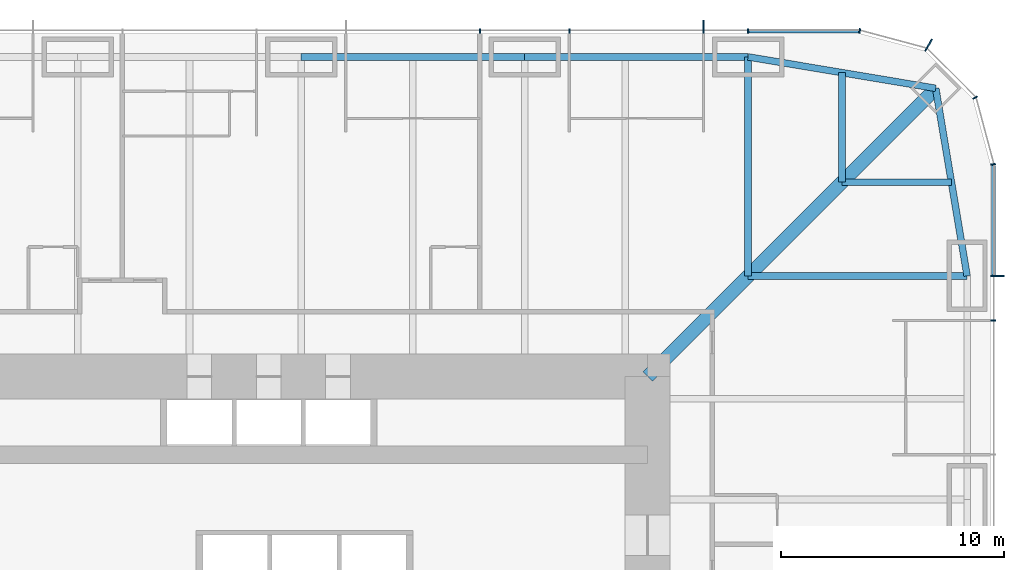
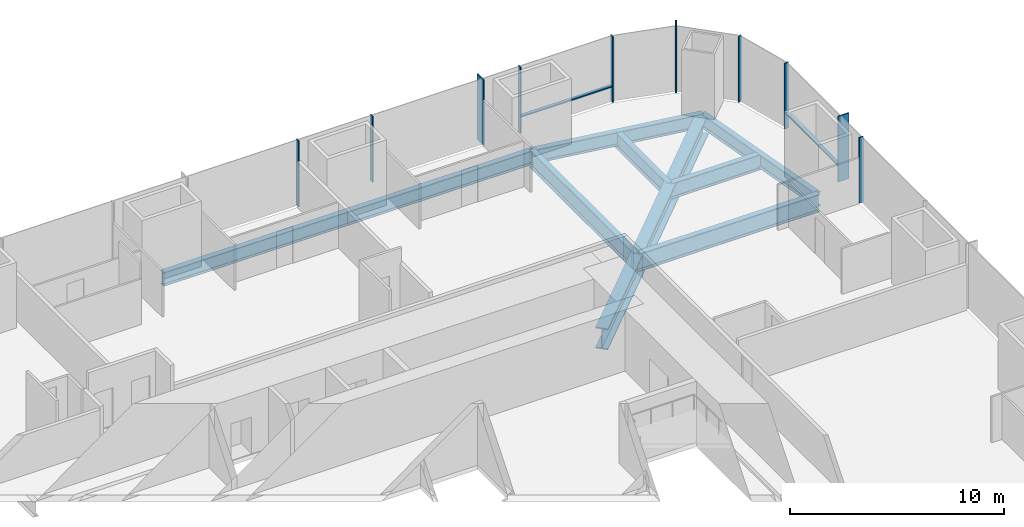
# One storey, part 9 of 17: 12 members, 9 beams, 3 elements without a shape of their own.
"""IFC4 building model written with IfcOpenShell, lengths in metres."""

from ifc_helpers import new_model, si_unit, direction, frame, origin, origin_2d, place, context, subcontext, project, spatial, rectangle, i_section, extrude, material, material_profile, profile_set, type_object, element, aggregate, save


model = new_model("IFC4")

# Units and contexts
model_context = context("Model", 3, precision=1e-05, world=origin(), true_north=direction((0.0, 1.0)))
body_context = subcontext(model_context, "Body", "Model", "MODEL_VIEW")
ifc_project = project(units=[si_unit("LENGTHUNIT", "METRE"), si_unit("AREAUNIT", "SQUARE_METRE"), si_unit("VOLUMEUNIT", "CUBIC_METRE"), si_unit("PLANEANGLEUNIT", "RADIAN"), si_unit("MASSUNIT", "GRAM", prefix="KILO")], contexts=[model_context])

# Site, building, storey
site_placement = place(None, origin())
site = spatial("IfcSite", under=ifc_project, at=site_placement, CompositionType="ELEMENT")
building_placement = place(site_placement, origin())
building = spatial("IfcBuilding", under=site, at=building_placement, Name="Khuree Lantern Residences", CompositionType="ELEMENT")
storey_placement = place(building_placement, frame((0.0, 0.0, 92.25)))
storey = spatial("IfcBuildingStorey", under=building, at=storey_placement, Name="L23", CompositionType="ELEMENT", Elevation=92.25)

# Beams
ifc_material_1 = material(Name="Steel S355", Category="steel")
ifc_material_profile_1 = material_profile(ifc_material_1, i_section(OverallWidth=0.300048828125, OverallDepth=0.889892578125, WebThickness=0.01611328125, FlangeThickness=0.030029296875, FilletRadius=0.030029296875, at=origin_2d()), Name="HE 900 A")
ifc_profile_set_1 = profile_set([ifc_material_profile_1], Name="Steel S355")
beam_type_1 = type_object("IfcBeamType", Name="B-15 SECONDARY BEAM HE 900 A", PredefinedType="BEAM", material=ifc_profile_set_1)
for number, where, z_axis, x_axis, name in (
    (1, (24.197021484375, 29.09716796875, -0.695068359375), (0.0, -1.0, 0.0), (1.0, 0.0, 0.0), "Secondary beam N5"),
    (2, (29.09716796875, 24.197021484375, -0.695068359375), (-1.0, 0.0, 0.0), (0.0, -1.0, 0.0), "Secondary beam E1"),
):
    element("IfcBeam", number, at=place(storey_placement, frame(where, z_axis=z_axis, x_axis=x_axis)), inside=storey, type_object=beam_type_1, Name=name, PredefinedType="BEAM", context=body_context, shape_type="SweptSolid", body=[
        extrude(i_section(OverallWidth=0.300048828125, OverallDepth=0.889892578125, WebThickness=0.01611328125, FlangeThickness=0.030029296875, FilletRadius=0.030029296875, at=origin_2d()), origin(), (0.0, 0.0, 1.0), 4.900146484375),
    ])
ifc_material_profile_2 = material_profile(ifc_material_1, i_section(OverallWidth=0.300048828125, OverallDepth=0.7900390625, WebThickness=0.014892578125, FlangeThickness=0.028076171875, FilletRadius=0.030029296875, at=origin_2d()), Name="HE 800 A")
ifc_profile_set_2 = profile_set([ifc_material_profile_2], Name="Steel S355")
beam_type_2 = type_object("IfcBeamType", Name="E-15 SPANDREL BEAM HE 800 A", PredefinedType="SPANDREL", material=ifc_profile_set_2)
for number, where, z_axis, x_axis, name in (
    (3, (0.0, 29.800048828125, -0.64501953125), (1.0, 0.0, 0.0), (0.0, 1.0, 0.0), "Spandrel beam N3"),
    (4, (10.0, 29.800048828125, -0.64501953125), (1.0, 0.0, 0.0), (0.0, 1.0, 0.0), "Spandrel beam N4"),
):
    element("IfcBeam", number, at=place(storey_placement, frame(where, z_axis=z_axis, x_axis=x_axis)), inside=storey, type_object=beam_type_2, Name=name, PredefinedType="SPANDREL", context=body_context, shape_type="SweptSolid", body=[
        extrude(i_section(OverallWidth=0.300048828125, OverallDepth=0.7900390625, WebThickness=0.014892578125, FlangeThickness=0.028076171875, FilletRadius=0.030029296875, at=origin_2d()), origin(), (0.0, 0.0, 1.0), 10.0),
    ])
for number, where, z_axis, x_axis, name in (
    (5, (20.0, 29.800048828125, -0.64501953125), (0.986260251158, -0.165199022349, 0.0), (0.165199022349, 0.986260251158, 0.0), "Spandrel beam N5"),
    (6, (28.39404296875, 28.39404296875, -0.64501953125), (0.165199022349, -0.986260251158, 0.0), (0.986260251158, 0.165199022349, 0.0), "Spandrel beam E1"),
):
    element("IfcBeam", number, at=place(storey_placement, frame(where, z_axis=z_axis, x_axis=x_axis)), inside=storey, type_object=beam_type_2, Name=name, PredefinedType="SPANDREL", context=body_context, shape_type="SweptSolid", body=[
        extrude(i_section(OverallWidth=0.300048828125, OverallDepth=0.7900390625, WebThickness=0.014892578125, FlangeThickness=0.028076171875, FilletRadius=0.030029296875, at=origin_2d()), origin(), (0.0, 0.0, 1.0), 8.510986328125),
    ])

# Curtain wall, member
ifc_material_2 = material(Name="Bronze anodised aluminium", Category="aluminium")
curtain_wall_type_1 = type_object("IfcCurtainWallType", Name="CW-T1 TOWER FACE CURTAIN WALL", PredefinedType="USERDEFINED", material=ifc_material_2)
curtain_wall_1_placement = place(storey_placement, origin())
curtain_wall_1 = element("IfcCurtainWall", 7, at=curtain_wall_1_placement, inside=storey, type_object=curtain_wall_type_1, Name="L23 EAST FACE CURTAIN WALL", ObjectType="Stick-built curtain wall", PredefinedType="USERDEFINED")
ifc_material_profile_3 = material_profile(ifc_material_2, rectangle(XDim=0.06494140625, YDim=0.60009765625, at=origin_2d()), Name="F1 65X600")
ifc_profile_set_3 = profile_set([ifc_material_profile_3], Name="Bronze anodised aluminium")
member_type_1 = type_object("IfcMemberType", Name="F1 BRONZE FIN MULLION TOWER 65X600", PredefinedType="MULLION", material=ifc_profile_set_3)
member_1_placement = place(storey_placement, frame((31.14990234375, 20.0, 0.0), z_axis=(0.0, 0.0, 1.0), x_axis=(0.0, 1.0, 0.0)))
member_1 = element("IfcMember", 8, at=member_1_placement, type_object=member_type_1, Name="L23 EAST FACE FIN MULLION 14", PredefinedType="MULLION", context=body_context, shape_type="SweptSolid", body=[
    extrude(rectangle(XDim=0.06494140625, YDim=0.60009765625, at=origin_2d()), origin(), (0.0, 0.0, 1.0), 3.75),
])

curtain_wall_type_2 = type_object("IfcCurtainWallType", Name="CW-T2 TOWER CORNER CURTAIN WALL", PredefinedType="USERDEFINED", material=ifc_material_2)
curtain_wall_2_placement = place(storey_placement, origin())
curtain_wall_2 = element("IfcCurtainWall", 9, at=curtain_wall_2_placement, inside=storey, type_object=curtain_wall_type_2, Name="L23 NORTH-EAST CORNER CURTAIN WALL", ObjectType="Faceted corner curtain wall", PredefinedType="USERDEFINED")
member_2_placement = place(storey_placement, frame((28.074951171875, 30.326171875, 0.0), z_axis=(0.0, 0.0, 1.0), x_axis=(-0.86602537092, 0.500000056923, 0.0)))
member_2 = element("IfcMember", 10, at=member_2_placement, type_object=member_type_1, Name="L23 NORTH-EAST CORNER FIN MULLION 17", PredefinedType="MULLION", context=body_context, shape_type="SweptSolid", body=[
    extrude(rectangle(XDim=0.06494140625, YDim=0.60009765625, at=origin_2d()), origin(), (0.0, 0.0, 1.0), 3.75),
])

curtain_wall_3_placement = place(storey_placement, origin())
curtain_wall_3 = element("IfcCurtainWall", 11, at=curtain_wall_3_placement, inside=storey, type_object=curtain_wall_type_1, Name="L23 NORTH FACE CURTAIN WALL", ObjectType="Stick-built curtain wall", PredefinedType="USERDEFINED")
member_3_placement = place(storey_placement, frame((18.0, 31.14990234375, 0.0), z_axis=(0.0, 0.0, 1.0), x_axis=(-1.0, 0.0, 0.0)))
member_3 = element("IfcMember", 12, at=member_3_placement, type_object=member_type_1, Name="L23 NORTH FACE FIN MULLION 20", PredefinedType="MULLION", context=body_context, shape_type="SweptSolid", body=[
    extrude(rectangle(XDim=0.06494140625, YDim=0.60009765625, at=origin_2d()), origin(), (0.0, 0.0, 1.0), 3.75),
])

# Beams
ifc_material_profile_4 = material_profile(ifc_material_1, i_section(OverallWidth=0.302001953125, OverallDepth=1.008056640625, WebThickness=0.02099609375, FlangeThickness=0.0400390625, FilletRadius=0.030029296875, at=origin_2d()), Name="HE 1000 M")
ifc_profile_set_4 = profile_set([ifc_material_profile_4], Name="Steel S355")
beam_type_3 = type_object("IfcBeamType", Name="G-15 GIRDER HE 1000 M", PredefinedType="BEAM", material=ifc_profile_set_4)
for number, where, z_axis, x_axis, name in (
    (13, (20.0, 29.800048828125, -0.75390625), (0.0, -1.0, 0.0), (1.0, 0.0, 0.0), "Girder N5"),
    (14, (29.800048828125, 20.0, -0.75390625), (-1.0, 0.0, 0.0), (0.0, -1.0, 0.0), "Girder E1"),
):
    element("IfcBeam", number, at=place(storey_placement, frame(where, z_axis=z_axis, x_axis=x_axis)), inside=storey, type_object=beam_type_3, Name=name, PredefinedType="BEAM", context=body_context, shape_type="SweptSolid", body=[
        extrude(i_section(OverallWidth=0.302001953125, OverallDepth=1.008056640625, WebThickness=0.02099609375, FlangeThickness=0.0400390625, FilletRadius=0.030029296875, at=origin_2d()), origin(), (0.0, 0.0, 1.0), 9.800048828125),
    ])
ifc_material_profile_5 = material_profile(ifc_material_1, i_section(OverallWidth=0.60009765625, OverallDepth=1.199951171875, WebThickness=0.030029296875, FlangeThickness=0.06005859375, at=origin_2d()), Name="WELDED I 1200X600X30X60")
ifc_profile_set_5 = profile_set([ifc_material_profile_5], Name="Steel S355")
beam_type_4 = type_object("IfcBeamType", Name="GD-15 CORNER GIRDER WELDED I 1200X600X30X60", PredefinedType="BEAM", material=ifc_profile_set_5)
beam_placement = place(storey_placement, frame((28.39404296875, 28.39404296875, -0.85009765625), z_axis=(-0.707106781187, -0.707106781187, 0.0), x_axis=(0.707106781187, -0.707106781187, 0.0)))
element("IfcBeam", 15, at=beam_placement, inside=storey, type_object=beam_type_4, Name="Corner girder NE", PredefinedType="BEAM", context=body_context, shape_type="SweptSolid", body=[
    extrude(i_section(OverallWidth=0.60009765625, OverallDepth=1.199951171875, WebThickness=0.030029296875, FlangeThickness=0.06005859375, at=origin_2d()), origin(), (0.0, 0.0, 1.0), 18.23486328125),
])

# Member
ifc_material_profile_6 = material_profile(ifc_material_2, rectangle(XDim=0.06494140625, YDim=0.219970703125, at=origin_2d()), Name="M1 65X220")
ifc_profile_set_6 = profile_set([ifc_material_profile_6], Name="Bronze anodised aluminium")
member_type_2 = type_object("IfcMemberType", Name="M1 BRONZE MULLION TOWER 65X220", PredefinedType="MULLION", material=ifc_profile_set_6)
member_4_placement = place(storey_placement, frame((30.9599609375, 18.0, 0.0), z_axis=(0.0, 0.0, 1.0), x_axis=(0.0, 1.0, 0.0)))
member_4 = element("IfcMember", 16, at=member_4_placement, type_object=member_type_2, Name="L23 EAST FACE MULLION 13", PredefinedType="MULLION", context=body_context, shape_type="SweptSolid", body=[
    extrude(rectangle(XDim=0.06494140625, YDim=0.219970703125, at=origin_2d()), origin(), (0.0, 0.0, 1.0), 3.75),
])

member_5_placement = place(storey_placement, frame((30.961669921875, 24.994873046875, 0.0), z_axis=(0.0, 0.0, 1.0), x_axis=(-0.130526257387, 0.991444852794, 0.0)))
member_5 = element("IfcMember", 17, at=member_5_placement, type_object=member_type_2, Name="L23 NORTH-EAST CORNER MULLION 15", PredefinedType="MULLION", context=body_context, shape_type="SweptSolid", body=[
    extrude(rectangle(XDim=0.06494140625, YDim=0.219970703125, at=origin_2d()), origin(), (0.0, 0.0, 1.0), 3.75),
])

member_6_placement = place(storey_placement, frame((30.16162109375, 27.97998046875, 0.0), z_axis=(0.0, 0.0, 1.0), x_axis=(-0.500000056923, 0.86602537092, 0.0)))
member_6 = element("IfcMember", 18, at=member_6_placement, type_object=member_type_2, Name="L23 NORTH-EAST CORNER MULLION 16", PredefinedType="MULLION", context=body_context, shape_type="SweptSolid", body=[
    extrude(rectangle(XDim=0.06494140625, YDim=0.219970703125, at=origin_2d()), origin(), (0.0, 0.0, 1.0), 3.75),
])

aggregate(curtain_wall_2, [member_5, member_6, member_2])

member_7_placement = place(storey_placement, frame((24.994873046875, 30.961669921875, 0.0), z_axis=(0.0, 0.0, 1.0), x_axis=(-0.991444852794, 0.130526257387, 0.0)))
member_7 = element("IfcMember", 19, at=member_7_placement, type_object=member_type_2, Name="L23 NORTH FACE MULLION 18", PredefinedType="MULLION", context=body_context, shape_type="SweptSolid", body=[
    extrude(rectangle(XDim=0.06494140625, YDim=0.219970703125, at=origin_2d()), origin(), (0.0, 0.0, 1.0), 3.75),
])

member_8_placement = place(storey_placement, frame((20.0, 30.9599609375, 0.0), z_axis=(0.0, 0.0, 1.0), x_axis=(-1.0, 0.0, 0.0)))
member_8 = element("IfcMember", 20, at=member_8_placement, type_object=member_type_2, Name="L23 NORTH FACE MULLION 19", PredefinedType="MULLION", context=body_context, shape_type="SweptSolid", body=[
    extrude(rectangle(XDim=0.06494140625, YDim=0.219970703125, at=origin_2d()), origin(), (0.0, 0.0, 1.0), 3.75),
])

member_9_placement = place(storey_placement, frame((12.0, 30.9599609375, 0.0), z_axis=(0.0, 0.0, 1.0), x_axis=(-1.0, 0.0, 0.0)))
member_9 = element("IfcMember", 21, at=member_9_placement, type_object=member_type_2, Name="L23 NORTH FACE MULLION 21", PredefinedType="MULLION", context=body_context, shape_type="SweptSolid", body=[
    extrude(rectangle(XDim=0.06494140625, YDim=0.219970703125, at=origin_2d()), origin(), (0.0, 0.0, 1.0), 3.75),
])

member_10_placement = place(storey_placement, frame((8.0, 30.9599609375, 0.0), z_axis=(0.0, 0.0, 1.0), x_axis=(-1.0, 0.0, 0.0)))
member_10 = element("IfcMember", 22, at=member_10_placement, type_object=member_type_2, Name="L23 NORTH FACE MULLION 22", PredefinedType="MULLION", context=body_context, shape_type="SweptSolid", body=[
    extrude(rectangle(XDim=0.06494140625, YDim=0.219970703125, at=origin_2d()), origin(), (0.0, 0.0, 1.0), 3.75),
])

ifc_material_profile_7 = material_profile(ifc_material_2, rectangle(XDim=0.179931640625, YDim=0.06494140625, at=origin_2d()), Name="T1 180X65")
ifc_profile_set_7 = profile_set([ifc_material_profile_7], Name="Bronze anodised aluminium")
member_type_3 = type_object("IfcMemberType", Name="TRANSOM T1 TOWER 180X65", PredefinedType="USERDEFINED", material=ifc_profile_set_7)
member_11_placement = place(storey_placement, frame((30.969970703125, 20.032470703125, 0.89990234375), z_axis=(0.0, 1.0, 0.0), x_axis=(-1.0, 0.0, 0.0)))
member_11 = element("IfcMember", 23, at=member_11_placement, type_object=member_type_3, Name="L23 EAST FACE TRANSOM 14.1", ObjectType="Transom", PredefinedType="USERDEFINED", context=body_context, shape_type="SweptSolid", body=[
    extrude(rectangle(XDim=0.179931640625, YDim=0.06494140625, at=origin_2d()), origin(), (0.0, 0.0, 1.0), 4.9189453125),
])

aggregate(curtain_wall_1, [member_4, member_1, member_11])

member_12_placement = place(storey_placement, frame((24.951416015625, 30.969970703125, 0.89990234375), z_axis=(-1.0, 0.0, 0.0), x_axis=(0.0, -1.0, 0.0)))
member_12 = element("IfcMember", 24, at=member_12_placement, type_object=member_type_3, Name="L23 NORTH FACE TRANSOM 18.1", ObjectType="Transom", PredefinedType="USERDEFINED", context=body_context, shape_type="SweptSolid", body=[
    extrude(rectangle(XDim=0.179931640625, YDim=0.06494140625, at=origin_2d()), origin(), (0.0, 0.0, 1.0), 4.9189453125),
])

aggregate(curtain_wall_3, [member_7, member_8, member_3, member_9, member_10, member_12])

save(model, "model.ifc")
